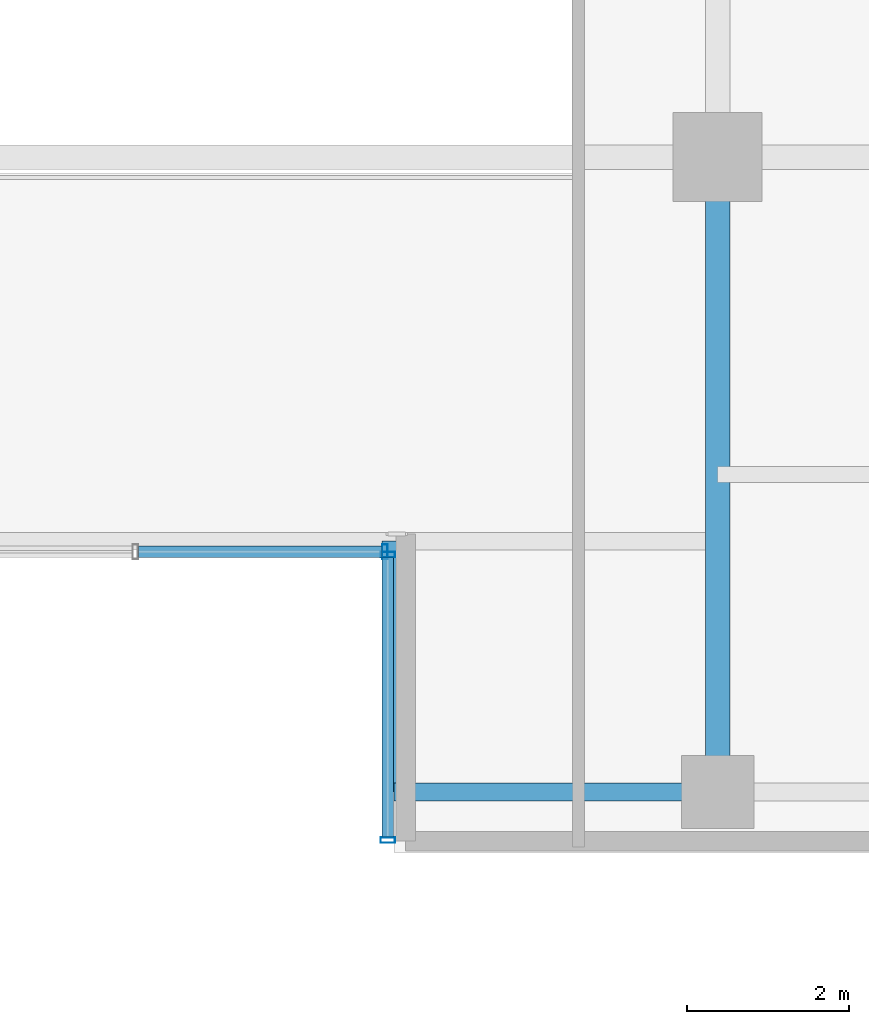
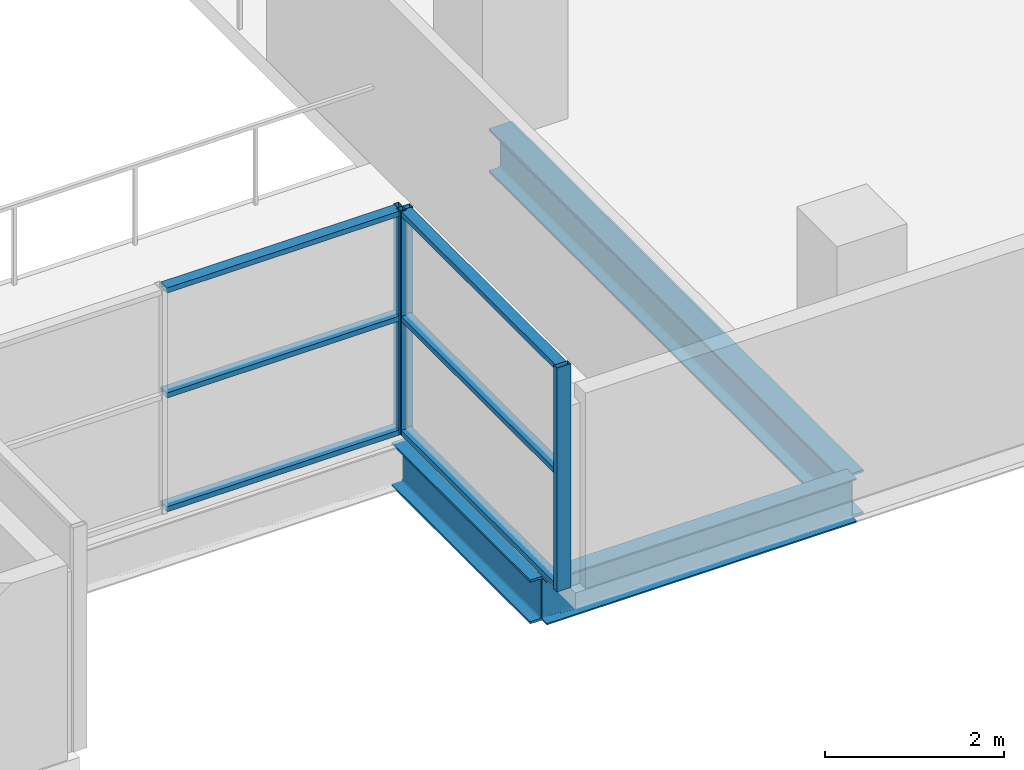
# One storey, part 9 of 31: 9 members, 3 beams, 2 elements without a shape of their own.
"""IFC4 building model written with IfcOpenShell, lengths in metres."""

from ifc_helpers import new_model, si_unit, direction, frame, origin, origin_2d, place, context, subcontext, project, spatial, hollow_rectangle, i_section, extrude, source, transform, mapped, material, layer, layer_set, material_profile, profile_set, type_object, element, aggregate, save


model = new_model("IFC4")

# Units and contexts
model_context = context("Model", 3, precision=1e-05, world=origin(), true_north=direction((0.0, 1.0)))
body_context = subcontext(model_context, "Body", "Model", "MODEL_VIEW")
ifc_project = project(units=[si_unit("LENGTHUNIT", "METRE"), si_unit("AREAUNIT", "SQUARE_METRE"), si_unit("VOLUMEUNIT", "CUBIC_METRE"), si_unit("PLANEANGLEUNIT", "RADIAN"), si_unit("MASSUNIT", "GRAM", prefix="KILO")], contexts=[model_context])

# Site, building, storey
site_placement = place(None, origin())
site = spatial("IfcSite", under=ifc_project, at=site_placement, CompositionType="ELEMENT")
building_placement = place(site_placement, origin())
building = spatial("IfcBuilding", under=site, at=building_placement, Name="Zarnakvel Exchange Tower", CompositionType="ELEMENT")
storey_placement = place(building_placement, frame((0.0, 0.0, 67.0)))
storey = spatial("IfcBuildingStorey", under=building, at=storey_placement, Name="L18", CompositionType="ELEMENT", Elevation=67.0)

# Beams
ifc_material_1 = material(Name="Steel S355", Category="steel")
ifc_material_profile_1 = material_profile(ifc_material_1, i_section(OverallWidth=0.300048828125, OverallDepth=0.60009765625, WebThickness=0.015380859375, FlangeThickness=0.030029296875, FilletRadius=0.027099609375, at=origin_2d()))
ifc_profile_set_1 = profile_set([ifc_material_profile_1], Name="Steel S355")
beam_type_1 = type_object("IfcBeamType", Name="G-04", PredefinedType="BEAM", material=ifc_profile_set_1)
beam_1_placement = place(storey_placement, frame((3.199951171875, -17.449951171875, -0.52490234375), z_axis=(0.0, 1.0, 0.0), x_axis=(-1.0, 0.0, 0.0)))
element("IfcBeam", 1, at=beam_1_placement, inside=storey, type_object=beam_type_1, Name="L18 South Slot East Cheek Beam", PredefinedType="BEAM", context=body_context, shape_type="SweptSolid", body=[
    extrude(i_section(OverallWidth=0.300048828125, OverallDepth=0.60009765625, WebThickness=0.015380859375, FlangeThickness=0.030029296875, FilletRadius=0.027099609375, at=origin_2d()), origin(), (0.0, 0.0, 1.0), 3.099853515625),
])
beam_2_placement = place(storey_placement, frame((7.199951171875, -17.449951171875, -0.52490234375), z_axis=(0.0, 1.0, 0.0), x_axis=(-1.0, 0.0, 0.0)))
element("IfcBeam", 2, at=beam_2_placement, inside=storey, type_object=beam_type_1, Name="L18 Tower N-S Frame Beam", PredefinedType="BEAM", context=body_context, shape_type="SweptSolid", body=[
    extrude(i_section(OverallWidth=0.300048828125, OverallDepth=0.60009765625, WebThickness=0.015380859375, FlangeThickness=0.030029296875, FilletRadius=0.027099609375, at=origin_2d()), origin(), (0.0, 0.0, 1.0), 7.849853515625),
])
ifc_material_profile_2 = material_profile(ifc_material_1, i_section(OverallWidth=0.219970703125, OverallDepth=0.60009765625, WebThickness=0.011962890625, FlangeThickness=0.01904296875, FilletRadius=0.02392578125, at=origin_2d()))
ifc_profile_set_2 = profile_set([ifc_material_profile_2], Name="Steel S355")
beam_type_2 = type_object("IfcBeamType", Name="SP-01", PredefinedType="SPANDREL", material=ifc_profile_set_2)
beam_3_placement = place(storey_placement, frame((3.199951171875, -17.449951171875, -0.52490234375), z_axis=(1.0, 0.0, 0.0), x_axis=(0.0, 1.0, 0.0)))
element("IfcBeam", 3, at=beam_3_placement, inside=storey, type_object=beam_type_2, Name="L18 South Slot East Jamb Spandrel", PredefinedType="SPANDREL", context=body_context, shape_type="SweptSolid", body=[
    extrude(i_section(OverallWidth=0.219970703125, OverallDepth=0.60009765625, WebThickness=0.011962890625, FlangeThickness=0.01904296875, FilletRadius=0.02392578125, at=origin_2d()), origin(), (0.0, 0.0, 1.0), 4.0),
])

# Curtain wall, members
ifc_material_2 = material(Name="Architectural Bronze Anodised Aluminium", Category="aluminium")
ifc_layer = layer(ifc_material_2, 0.179931640625)
ifc_layer_set = layer_set([ifc_layer], Name="Architectural Bronze Anodised Aluminium")
curtain_wall_type = type_object("IfcCurtainWallType", Name="CW-05", PredefinedType="NOTDEFINED", material=ifc_layer_set)
curtain_wall_1_placement = place(storey_placement, origin())
curtain_wall_1 = element("IfcCurtainWall", 4, at=curtain_wall_1_placement, inside=storey, type_object=curtain_wall_type, Name="L18 Curtain Wall CW-L18-SLE (CW-05)", PredefinedType="NOTDEFINED")
ifc_material_profile_3 = material_profile(ifc_material_2, hollow_rectangle(XDim=0.139892578125, YDim=0.070068359375, WallThickness=0.00390625, at=origin_2d()))
ifc_profile_set_3 = profile_set([ifc_material_profile_3], Name="Architectural Bronze Anodised Aluminium")
member_type_1 = type_object("IfcMemberType", Name="CWT-05", PredefinedType="USERDEFINED", material=ifc_profile_set_3)
shared_shape_1 = source(origin(), body_context, "Body", "SweptSolid", [
    extrude(hollow_rectangle(XDim=0.139892578125, YDim=0.070068359375, WallThickness=0.00390625, at=origin_2d()), origin(), (0.0, 0.0, 1.0), 3.4599609375),
])
member_1_placement = place(storey_placement, frame((3.1201171875, -14.550048828125, 0.034912109375), z_axis=(0.0, -1.0, 0.0), x_axis=(1.0, 0.0, 0.0)))
member_1 = element("IfcMember", 5, at=member_1_placement, type_object=member_type_1, Name="CW-05 transom 1.1", ObjectType="TRANSOM", PredefinedType="USERDEFINED", context=body_context, shape_type="MappedRepresentation", body=[
    mapped(shared_shape_1, transform((0.0, 0.0, 0.0), x_axis=(1.0, 0.0, 0.0), y_axis=(0.0, 1.0, 0.0), z_axis=(0.0, 0.0, 1.0), scale=1.0)),
])
member_2_placement = place(storey_placement, frame((3.1201171875, -14.550048828125, 1.588623046875), z_axis=(0.0, -1.0, 0.0), x_axis=(1.0, 0.0, 0.0)))
member_2 = element("IfcMember", 6, at=member_2_placement, type_object=member_type_1, Name="CW-05 transom 1.2", ObjectType="TRANSOM", PredefinedType="USERDEFINED", context=body_context, shape_type="MappedRepresentation", body=[
    mapped(shared_shape_1, transform((0.0, 0.0, 0.0), x_axis=(1.0, 0.0, 0.0), y_axis=(0.0, 1.0, 0.0), z_axis=(0.0, 0.0, 1.0), scale=1.0)),
])
member_3_placement = place(storey_placement, frame((3.1201171875, -14.550048828125, 3.02001953125), z_axis=(0.0, -1.0, 0.0), x_axis=(1.0, 0.0, 0.0)))
member_3 = element("IfcMember", 7, at=member_3_placement, type_object=member_type_1, Name="CW-05 transom 1.3", ObjectType="TRANSOM", PredefinedType="USERDEFINED", context=body_context, shape_type="MappedRepresentation", body=[
    mapped(shared_shape_1, transform((0.0, 0.0, 0.0), x_axis=(1.0, 0.0, 0.0), y_axis=(0.0, 1.0, 0.0), z_axis=(0.0, 0.0, 1.0), scale=1.0)),
])

curtain_wall_2_placement = place(storey_placement, origin())
curtain_wall_2 = element("IfcCurtainWall", 8, at=curtain_wall_2_placement, inside=storey, type_object=curtain_wall_type, Name="L18 Curtain Wall CW-L18-SLB (CW-05)", PredefinedType="NOTDEFINED")
shared_shape_2 = source(origin(), body_context, "Body", "SweptSolid", [
    extrude(hollow_rectangle(XDim=0.139892578125, YDim=0.070068359375, WallThickness=0.00390625, at=origin_2d()), origin(), (0.0, 0.0, 1.0), 3.01513671875),
])
member_4_placement = place(storey_placement, frame((0.034912109375, -14.47998046875, 0.034912109375), z_axis=(1.0, 0.0, 0.0), x_axis=(0.0, 1.0, 0.0)))
member_4 = element("IfcMember", 9, at=member_4_placement, type_object=member_type_1, Name="CW-05 transom 2.1", ObjectType="TRANSOM", PredefinedType="USERDEFINED", context=body_context, shape_type="MappedRepresentation", body=[
    mapped(shared_shape_2, transform((0.0, 0.0, 0.0), x_axis=(1.0, 0.0, 0.0), y_axis=(0.0, 1.0, 0.0), z_axis=(0.0, 0.0, 1.0), scale=1.0)),
])
member_5_placement = place(storey_placement, frame((0.034912109375, -14.47998046875, 1.588623046875), z_axis=(1.0, 0.0, 0.0), x_axis=(0.0, 1.0, 0.0)))
member_5 = element("IfcMember", 10, at=member_5_placement, type_object=member_type_1, Name="CW-05 transom 2.2", ObjectType="TRANSOM", PredefinedType="USERDEFINED", context=body_context, shape_type="MappedRepresentation", body=[
    mapped(shared_shape_2, transform((0.0, 0.0, 0.0), x_axis=(1.0, 0.0, 0.0), y_axis=(0.0, 1.0, 0.0), z_axis=(0.0, 0.0, 1.0), scale=1.0)),
])
member_6_placement = place(storey_placement, frame((0.034912109375, -14.47998046875, 3.02001953125), z_axis=(1.0, 0.0, 0.0), x_axis=(0.0, 1.0, 0.0)))
member_6 = element("IfcMember", 11, at=member_6_placement, type_object=member_type_1, Name="CW-05 transom 2.3", ObjectType="TRANSOM", PredefinedType="USERDEFINED", context=body_context, shape_type="MappedRepresentation", body=[
    mapped(shared_shape_2, transform((0.0, 0.0, 0.0), x_axis=(1.0, 0.0, 0.0), y_axis=(0.0, 1.0, 0.0), z_axis=(0.0, 0.0, 1.0), scale=1.0)),
])
ifc_material_profile_4 = material_profile(ifc_material_2, hollow_rectangle(XDim=0.179931640625, YDim=0.070068359375, WallThickness=0.00390625, at=origin_2d()))
ifc_profile_set_4 = profile_set([ifc_material_profile_4], Name="Architectural Bronze Anodised Aluminium")
member_type_2 = type_object("IfcMemberType", Name="CWM-05", PredefinedType="MULLION", material=ifc_profile_set_4)
shared_shape_3 = source(origin(), body_context, "Body", "SweptSolid", [
    extrude(hollow_rectangle(XDim=0.179931640625, YDim=0.070068359375, WallThickness=0.00390625, at=origin_2d()), origin(), (0.0, 0.0, 1.0), 3.054931640625),
])
member_7_placement = place(storey_placement, frame((3.0849609375, -14.47998046875, 0.0), z_axis=(0.0, 0.0, 1.0), x_axis=(0.0, 1.0, 0.0)))
member_7 = element("IfcMember", 12, at=member_7_placement, type_object=member_type_2, Name="CW-05 mullion 3", PredefinedType="MULLION", context=body_context, shape_type="MappedRepresentation", body=[
    mapped(shared_shape_3, transform((0.0, 0.0, 0.0), x_axis=(1.0, 0.0, 0.0), y_axis=(0.0, 1.0, 0.0), z_axis=(0.0, 0.0, 1.0), scale=1.0)),
])
aggregate(curtain_wall_2, [member_7, member_4, member_5, member_6])

# Member
member_8_placement = place(storey_placement, frame((3.1201171875, -14.514892578125, 0.0), z_axis=(0.0, 0.0, 1.0), x_axis=(1.0, 0.0, 0.0)))
member_8 = element("IfcMember", 13, at=member_8_placement, type_object=member_type_2, Name="CW-05 mullion 1", PredefinedType="MULLION", context=body_context, shape_type="MappedRepresentation", body=[
    mapped(shared_shape_3, transform((0.0, 0.0, 0.0), x_axis=(1.0, 0.0, 0.0), y_axis=(0.0, 1.0, 0.0), z_axis=(0.0, 0.0, 1.0), scale=1.0)),
])

member_9_placement = place(storey_placement, frame((3.1201171875, -18.044921875, 0.0), z_axis=(0.0, 0.0, 1.0), x_axis=(1.0, 0.0, 0.0)))
member_9 = element("IfcMember", 14, at=member_9_placement, type_object=member_type_2, Name="CW-05 mullion 2", PredefinedType="MULLION", context=body_context, shape_type="MappedRepresentation", body=[
    mapped(shared_shape_3, transform((0.0, 0.0, 0.0), x_axis=(1.0, 0.0, 0.0), y_axis=(0.0, 1.0, 0.0), z_axis=(0.0, 0.0, 1.0), scale=1.0)),
])

aggregate(curtain_wall_1, [member_8, member_9, member_1, member_2, member_3])

save(model, "model.ifc")
